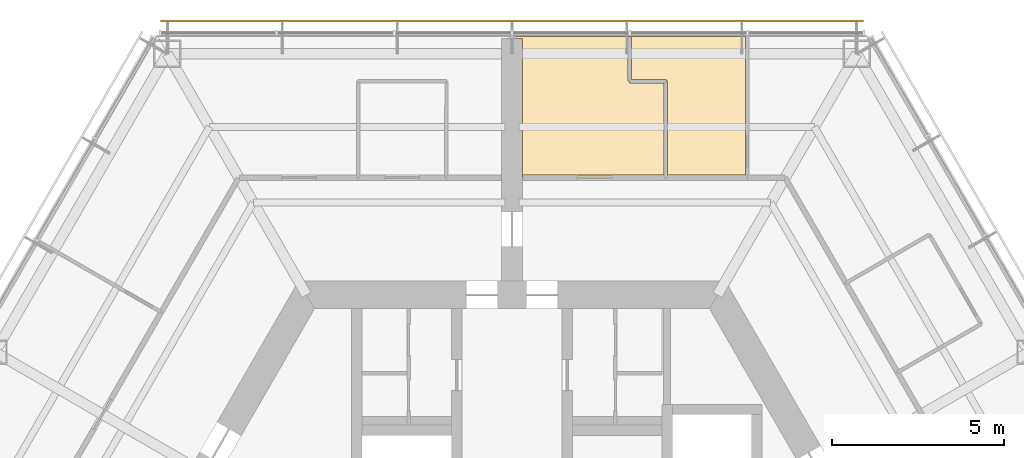
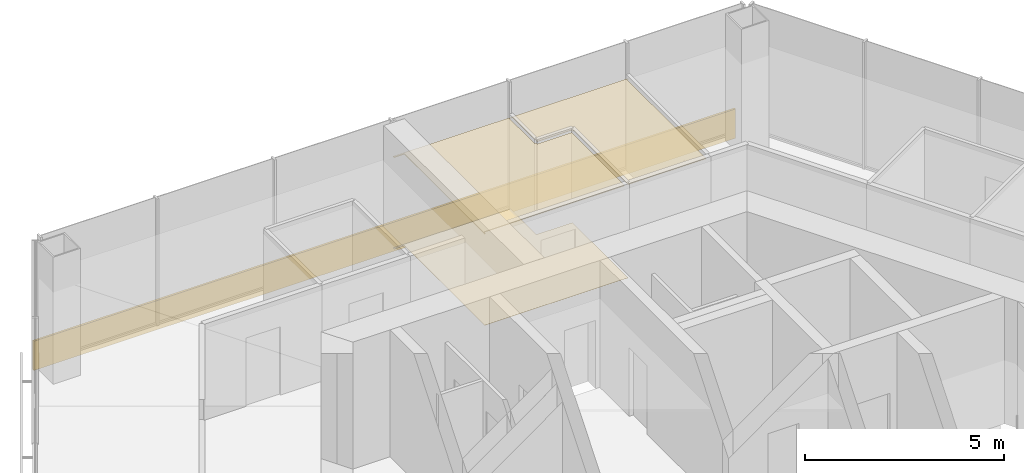
# One storey, part 13 of 13: 3 coverings, 1 shading device.
"""IFC4 building model written with IfcOpenShell, lengths in metres."""

from ifc_helpers import new_model, si_unit, direction, frame, origin, origin_2d, place, context, subcontext, project, spatial, polyline, rectangle, outline, extrude, material, layer, layer_set, type_object, element, save


model = new_model("IFC4")

# Units and contexts
model_context = context("Model", 3, precision=1e-05, world=origin(), true_north=direction((0.0, 1.0)))
body_context = subcontext(model_context, "Body", "Model", "MODEL_VIEW")
ifc_project = project(units=[si_unit("LENGTHUNIT", "METRE"), si_unit("AREAUNIT", "SQUARE_METRE"), si_unit("VOLUMEUNIT", "CUBIC_METRE"), si_unit("PLANEANGLEUNIT", "RADIAN"), si_unit("MASSUNIT", "GRAM", prefix="KILO")], contexts=[model_context])

# Site, building, storey
site_placement = place(None, origin())
site = spatial("IfcSite", under=ifc_project, at=site_placement, CompositionType="ELEMENT")
building_placement = place(site_placement, origin())
building = spatial("IfcBuilding", under=site, at=building_placement, Name="Kasaneha Research Tower", CompositionType="ELEMENT")
storey_placement = place(building_placement, frame((0.0, 0.0, 279.10009765625)))
storey = spatial("IfcBuildingStorey", under=building, at=storey_placement, Name="L70", CompositionType="ELEMENT", Elevation=279.10009765625)

# Coverings
ifc_material_1 = material(Name="Gypsum ceiling board", Category="gypsum")
ifc_layer_1 = layer(ifc_material_1, 0.02001953125)
ifc_layer_set_1 = layer_set([ifc_layer_1], Name="Suspended ceiling 20")
covering_type_1 = type_object("IfcCoveringType", Name="Suspended ceiling 20", PredefinedType="CEILING", material=ifc_layer_set_1)
covering_1_placement = place(storey_placement, frame((0.0, 0.0, 2.7998046875)))
element("IfcCovering", 1, at=covering_1_placement, inside=storey, type_object=covering_type_1, Name="Ceiling L70-28", PredefinedType="CEILING", context=body_context, shape_type="SweptSolid", body=[
    extrude(outline(polyline([(0.300048828125, 13.725341796875), (0.300048828125, 17.7705078125), (0.0, 17.7705078125), (-0.000244140625, 17.82080078125), (3.4150390625, 17.821044921875), (3.4150390625, 17.800537109375), (3.364990234375, 17.800537109375), (3.364990234375, 16.52490234375), (3.4150390625, 16.52490234375), (3.4150390625, 16.52490234375), (3.4150390625, 16.52490234375), (3.4150390625, 16.47509765625), (4.414794921875, 16.47509765625), (4.41015625, 13.800048828125), (0.320068359375, 13.800048828125), (0.320068359375, 13.725341796875), (0.300048828125, 13.725341796875)])), origin(), (0.0, 0.0, 1.0), 0.02001953125),
])
covering_2_placement = place(storey_placement, frame((0.0, 0.0, 2.7998046875)))
element("IfcCovering", 2, at=covering_2_placement, inside=storey, type_object=covering_type_1, Name="Ceiling L70-31", PredefinedType="CEILING", context=body_context, shape_type="SweptSolid", body=[
    extrude(outline(polyline([(6.8310546875, 17.800537109375), (6.781005859375, 17.800537109375), (6.776611328125, 13.800048828125), (4.510009765625, 13.800048828125), (4.514892578125, 16.52490234375), (4.465087890625, 16.52490234375), (4.465087890625, 16.574951171875), (3.465087890625, 16.574951171875), (3.465087890625, 17.800537109375), (3.41552734375, 17.800537109375), (3.41552734375, 17.820556640625), (6.8310546875, 17.820556640625), (6.8310546875, 17.800537109375)])), origin(), (0.0, 0.0, 1.0), 0.02001953125),
])

# Shading device
ifc_material_2 = material(Name="Terracotta", Category="masonry")
ifc_layer_2 = layer(ifc_material_2, 0.06005859375)
ifc_layer_set_2 = layer_set([ifc_layer_2], Name="Terracotta baguette screen")
shading_device_type = type_object("IfcShadingDeviceType", Name="Terracotta baguette screen", PredefinedType="USERDEFINED", material=ifc_layer_set_2)
shading_device_placement = place(storey_placement, frame((0.0, 18.2705078125, -0.449951171875), z_axis=(0.0, 0.0, 1.0), x_axis=(-1.0, 0.0, 0.0)))
element("IfcShadingDevice", 3, at=shading_device_placement, inside=storey, type_object=shading_device_type, Name="Baguette screen L70 02", ObjectType="TERRACOTTA BAGUETTE SCREEN", PredefinedType="USERDEFINED", context=body_context, shape_type="SweptSolid", body=[
    extrude(rectangle(XDim=20.392822265625, YDim=0.06005859375, at=origin_2d()), origin(), (0.0, 0.0, 1.0), 0.89990234375),
])

# Covering
ifc_material_3 = material(Name="Vinyl sheet flooring", Category="plastic")
ifc_layer_3 = layer(ifc_material_3, 0.0048828125)
ifc_layer_set_3 = layer_set([ifc_layer_3], Name="Wet room sheet flooring 5")
covering_type_2 = type_object("IfcCoveringType", Name="Wet room sheet flooring 5", PredefinedType="FLOORING", material=ifc_layer_set_3)
covering_3_placement = place(storey_placement, origin())
element("IfcCovering", 4, at=covering_3_placement, inside=storey, type_object=covering_type_2, Name="Floor finish L70-28", PredefinedType="FLOORING", context=body_context, shape_type="SweptSolid", body=[
    extrude(outline(polyline([(4.465087890625, 16.52490234375), (4.465087890625, 13.72509765625), (0.299560546875, 13.725341796875), (0.299560546875, 17.77001953125), (0.0, 17.77001953125), (-0.000244140625, 17.82080078125), (3.4150390625, 17.821044921875), (3.4150390625, 16.52490234375), (4.465087890625, 16.52490234375)])), origin(), (0.0, 0.0, 1.0), 0.0048828125),
])

save(model, "model.ifc")
